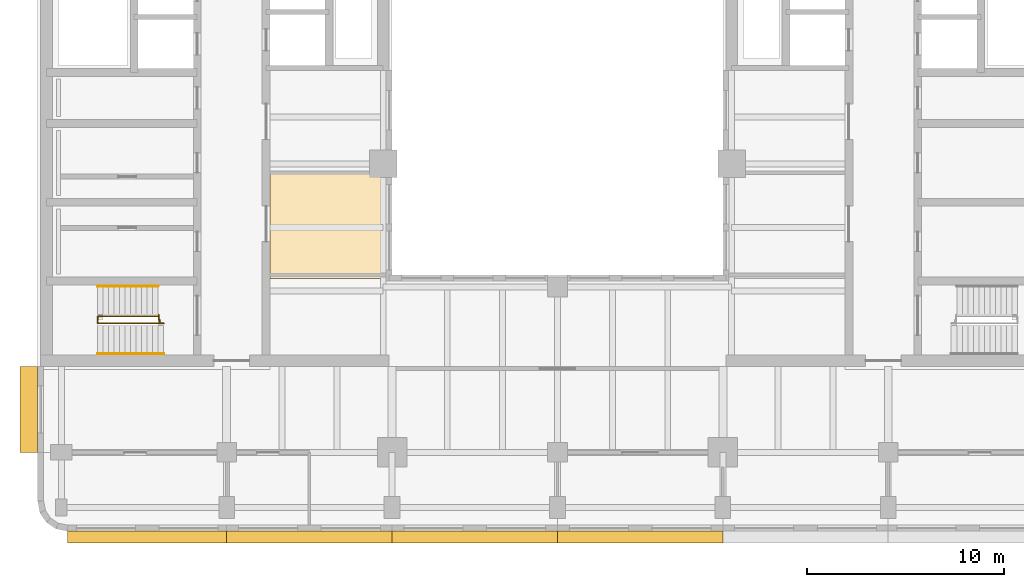
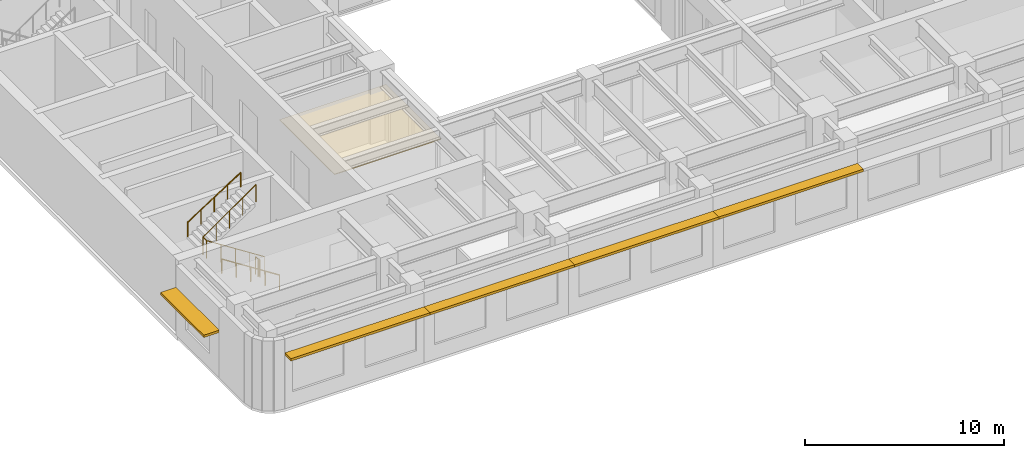
# One storey, part 9 of 13: 5 shading devices, 4 railings, 1 covering.
"""IFC4 building model written with IfcOpenShell, lengths in metres."""

from ifc_helpers import new_model, si_unit, direction, frame, origin, origin_2d, place, context, subcontext, project, spatial, polyline, rectangle, circle, outline, extrude, material, layer, layer_set, type_object, element, save


model = new_model("IFC4")

# Units and contexts
model_context = context("Model", 3, precision=1e-05, world=origin(), true_north=direction((0.0, 1.0)))
body_context = subcontext(model_context, "Body", "Model", "MODEL_VIEW")
ifc_project = project(units=[si_unit("LENGTHUNIT", "METRE"), si_unit("AREAUNIT", "SQUARE_METRE"), si_unit("VOLUMEUNIT", "CUBIC_METRE"), si_unit("PLANEANGLEUNIT", "RADIAN"), si_unit("MASSUNIT", "GRAM", prefix="KILO")], contexts=[model_context])

# Site, building, storey
site_placement = place(None, origin())
site = spatial("IfcSite", under=ifc_project, at=site_placement, CompositionType="ELEMENT")
building_placement = place(site_placement, origin())
building = spatial("IfcBuilding", under=site, at=building_placement, Name="Claustro Exchange Tower", CompositionType="ELEMENT")
storey_placement = place(building_placement, frame((0.0, 0.0, 277.199951171875)))
storey = spatial("IfcBuildingStorey", under=building, at=storey_placement, Name="L63", CompositionType="ELEMENT", Elevation=277.199951171875)

# Covering
ifc_material_1 = material(Name="Oak slats on acoustic backing", Category="wood")
ifc_layer_1 = layer(ifc_material_1, 0.050048828125)
ifc_layer_set_1 = layer_set([ifc_layer_1], Name="Oak slats on acoustic backing")
covering_type = type_object("IfcCoveringType", Name="CL3 timber slat ceiling", PredefinedType="CEILING", material=ifc_layer_set_1)
covering_placement = place(storey_placement, frame((0.0, 0.0, 3.0)))
element("IfcCovering", 1, at=covering_placement, inside=storey, type_object=covering_type, Name="Ceiling CL3 L63-07", PredefinedType="CEILING", context=body_context, shape_type="SweptSolid", body=[
    extrude(outline(polyline([(10.60009765625, 22.77001953125), (10.60009765625, 17.22998046875), (16.800048828125, 17.22998046875), (16.800048828125, 22.77001953125), (10.60009765625, 22.77001953125)])), origin(), (0.0, 0.0, 1.0), 0.050048828125),
])

# Railings
ifc_material_2 = material(Name="Steel balustrade, painted", Category="steel")
railing_type_1 = type_object("IfcRailingType", Name="GR2 1100 steel stair guard", PredefinedType="GUARDRAIL", material=ifc_material_2)
railing_1_placement = place(storey_placement, frame((5.199951171875, 14.949951171875, 0.179931640625)))
element("IfcRailing", 2, at=railing_1_placement, inside=storey, type_object=railing_type_1, Name="Stair well guard GR2 stair STWA L63", PredefinedType="GUARDRAIL", context=body_context, shape_type="SweptSolid", body=[
    extrude(circle(Radius=0.02392578125, at=origin_2d()), frame((0.0, 0.0, 1.076171875), z_axis=(-0.841150671818, 0.0, 0.540800838849), x_axis=(0.0, -1.0, 0.0)), (0.0, 0.0, 1.0), 3.994384765625),
    extrude(circle(Radius=0.02392578125, at=origin_2d()), frame((-3.35986328125, 0.0, 3.236328125), z_axis=(0.0, 1.0, 0.0), x_axis=(-1.0, 0.0, 0.0)), (0.0, 0.0, 1.0), 0.35009765625),
    extrude(circle(Radius=0.02392578125, at=origin_2d()), frame((-3.35986328125, 0.35009765625, 3.236328125), z_axis=(0.818728512145, 0.0, 0.574180828137), x_axis=(0.0, 1.0, 0.0)), (0.0, 0.0, 1.0), 3.76171875),
    extrude(circle(Radius=0.02099609375, at=origin_2d()), origin(), (0.0, 0.0, 1.0), 1.052001953125),
    extrude(circle(Radius=0.02099609375, at=origin_2d()), frame((-0.83984375, 0.0, 0.5400390625)), (0.0, 0.0, 1.0), 1.052001953125),
    extrude(circle(Radius=0.02099609375, at=origin_2d()), frame((-1.679931640625, 0.0, 1.080078125)), (0.0, 0.0, 1.0), 1.052001953125),
    extrude(circle(Radius=0.02099609375, at=origin_2d()), frame((-2.52001953125, 0.0, 1.6201171875)), (0.0, 0.0, 1.0), 1.052001953125),
    extrude(circle(Radius=0.02099609375, at=origin_2d()), frame((-3.35986328125, 0.0, 2.16015625)), (0.0, 0.0, 1.0), 1.052001953125),
    extrude(circle(Radius=0.02099609375, at=origin_2d()), frame((-3.35986328125, 0.35009765625, 2.16015625)), (0.0, 0.0, 1.0), 1.052001953125),
    extrude(circle(Radius=0.02099609375, at=origin_2d()), frame((-2.58984375, 0.35009765625, 2.7001953125)), (0.0, 0.0, 1.0), 1.052001953125),
    extrude(circle(Radius=0.02099609375, at=origin_2d()), frame((-1.81982421875, 0.35009765625, 3.240234375)), (0.0, 0.0, 1.0), 1.052001953125),
    extrude(circle(Radius=0.02099609375, at=origin_2d()), frame((-1.050048828125, 0.35009765625, 3.780029296875)), (0.0, 0.0, 1.0), 1.052001953125),
    extrude(circle(Radius=0.02099609375, at=origin_2d()), frame((-0.280029296875, 0.35009765625, 4.320068359375)), (0.0, 0.0, 1.0), 1.052001953125),
])
railing_2_placement = place(storey_placement, frame((5.0, 15.02001953125, 0.0)))
element("IfcRailing", 3, at=railing_2_placement, inside=storey, type_object=railing_type_1, Name="Stair guard GR2 STWA L63", PredefinedType="GUARDRAIL", context=body_context, shape_type="SweptSolid", body=[
    extrude(circle(Radius=0.02392578125, at=origin_2d()), frame((0.0, 0.0, 1.076171875), z_axis=(0.0, 1.0, 0.0), x_axis=(-1.0, 0.0, 0.0)), (0.0, 0.0, 1.0), 0.10498046875),
    extrude(circle(Radius=0.02392578125, at=origin_2d()), frame((0.0, 0.10498046875, 1.076171875), z_axis=(-1.0, 0.0, 0.0), x_axis=(0.0, -1.0, 0.0)), (0.0, 0.0, 1.0), 0.054931640625),
    extrude(circle(Radius=0.02392578125, at=origin_2d()), frame((-0.054931640625, 0.10498046875, 1.076171875), z_axis=(0.0, 1.0, 0.0), x_axis=(-1.0, 0.0, 0.0)), (0.0, 0.0, 1.0), 0.2548828125),
    extrude(circle(Radius=0.02099609375, at=origin_2d()), origin(), (0.0, 0.0, 1.0), 1.052001953125),
    extrude(circle(Radius=0.02099609375, at=origin_2d()), frame((0.0, 0.10498046875, 0.0)), (0.0, 0.0, 1.0), 1.052001953125),
    extrude(circle(Radius=0.02099609375, at=origin_2d()), frame((-0.054931640625, 0.10498046875, 0.0)), (0.0, 0.0, 1.0), 1.052001953125),
    extrude(circle(Radius=0.02099609375, at=origin_2d()), frame((-0.054931640625, 0.35986328125, 0.0)), (0.0, 0.0, 1.0), 1.052001953125),
])
ifc_material_3 = material(Name="Stainless steel tube", Category="steel")
railing_type_2 = type_object("IfcRailingType", Name="HR1 900 stair handrail", PredefinedType="HANDRAIL", material=ifc_material_3)
railing_3_placement = place(storey_placement, frame((5.199951171875, 13.409912109375, 0.179931640625)))
element("IfcRailing", 4, at=railing_3_placement, inside=storey, type_object=railing_type_2, Name="Handrail HR1 stair STWA L63", PredefinedType="HANDRAIL", context=body_context, shape_type="SweptSolid", body=[
    extrude(circle(Radius=0.02392578125, at=origin_2d()), frame((0.0, 0.0, 0.8759765625), z_axis=(-0.841150671818, 0.0, 0.540800838849), x_axis=(0.0, -1.0, 0.0)), (0.0, 0.0, 1.0), 3.994384765625),
    extrude(circle(Radius=0.02099609375, at=origin_2d()), origin(), (0.0, 0.0, 1.0), 0.851806640625),
    extrude(circle(Radius=0.02099609375, at=origin_2d()), frame((-0.83984375, 0.0, 0.5400390625)), (0.0, 0.0, 1.0), 0.851806640625),
    extrude(circle(Radius=0.02099609375, at=origin_2d()), frame((-1.679931640625, 0.0, 1.080078125)), (0.0, 0.0, 1.0), 0.851806640625),
    extrude(circle(Radius=0.02099609375, at=origin_2d()), frame((-2.52001953125, 0.0, 1.6201171875)), (0.0, 0.0, 1.0), 0.851806640625),
    extrude(circle(Radius=0.02099609375, at=origin_2d()), frame((-3.35986328125, 0.0, 2.16015625)), (0.0, 0.0, 1.0), 0.851806640625),
])
railing_4_placement = place(storey_placement, frame((1.840087890625, 16.840087890625, 2.52001953125)))
element("IfcRailing", 5, at=railing_4_placement, inside=storey, type_object=railing_type_2, Name="Handrail HR1 stair STWA L63", PredefinedType="HANDRAIL", context=body_context, shape_type="SweptSolid", body=[
    extrude(circle(Radius=0.02392578125, at=origin_2d()), frame((0.0, 0.0, 0.8759765625), z_axis=(0.841167642724, 0.0, 0.540774441735), x_axis=(0.0, 1.0, 0.0)), (0.0, 0.0, 1.0), 3.661376953125),
    extrude(circle(Radius=0.02099609375, at=origin_2d()), origin(), (0.0, 0.0, 1.0), 0.851806640625),
    extrude(circle(Radius=0.02099609375, at=origin_2d()), frame((0.77001953125, 0.0, 0.4951171875)), (0.0, 0.0, 1.0), 0.851806640625),
    extrude(circle(Radius=0.02099609375, at=origin_2d()), frame((1.5400390625, 0.0, 0.989990234375)), (0.0, 0.0, 1.0), 0.851806640625),
    extrude(circle(Radius=0.02099609375, at=origin_2d()), frame((2.309814453125, 0.0, 1.48486328125)), (0.0, 0.0, 1.0), 0.851806640625),
    extrude(circle(Radius=0.02099609375, at=origin_2d()), frame((3.079833984375, 0.0, 1.97998046875)), (0.0, 0.0, 1.0), 0.851806640625),
])

# Shading devices
ifc_material_4 = material(Name="Concrete HA-40 (C40/50), precast, white cement, acid-etched", Category="concrete")
ifc_layer_2 = layer(ifc_material_4, 0.14990234375)
ifc_layer_set_2 = layer_set([ifc_layer_2], Name="Concrete HA-40 (C40/50), precast, white cement, acid-etched")
shading_device_type_1 = type_object("IfcShadingDeviceType", Name="SS1 600 precast concrete SUNSHADE", PredefinedType="SHUTTER", material=ifc_layer_set_2)
for number, where, z_axis, x_axis, name in (
    (6, (29.39990234375, 4.10009765625, 3.300048828125), (0.0, 0.0, 1.0), (-1.0, 0.0, 0.0), "Precast SUNSHADE SS1 L63"),
    (7, (21.0, 4.10009765625, 3.300048828125), (0.0, 0.0, 1.0), (-1.0, 0.0, 0.0), "Precast SUNSHADE SS1 L63"),
    (8, (12.60009765625, 4.10009765625, 3.300048828125), (0.0, 0.0, 1.0), (-1.0, 0.0, 0.0), "Precast SUNSHADE SS1 L63"),
):
    element("IfcShadingDevice", number, at=place(storey_placement, frame(where, z_axis=z_axis, x_axis=x_axis)), inside=storey, type_object=shading_device_type_1, Name=name, PredefinedType="SHUTTER", context=body_context, shape_type="SweptSolid", body=[
        extrude(rectangle(XDim=8.39990234375, YDim=0.60009765625, at=origin_2d()), origin(), (0.0, 0.0, 1.0), 0.14990234375),
    ])
shading_device_1_placement = place(storey_placement, frame((4.357421875, 4.10009765625, 3.300048828125), z_axis=(0.0, 0.0, 1.0), x_axis=(-1.0, 0.0, 0.0)))
element("IfcShadingDevice", 9, at=shading_device_1_placement, inside=storey, type_object=shading_device_type_1, Name="Precast SUNSHADE SS1 L63", PredefinedType="SHUTTER", context=body_context, shape_type="SweptSolid", body=[
    extrude(rectangle(XDim=8.085205078125, YDim=0.60009765625, at=origin_2d()), origin(), (0.0, 0.0, 1.0), 0.14990234375),
])
ifc_material_5 = material(Name="Concrete HA-40 (C40/50), precast, white cement, acid-etched", Category="concrete")
ifc_layer_3 = layer(ifc_material_5, 0.14990234375)
ifc_layer_set_3 = layer_set([ifc_layer_3], Name="Concrete HA-40 (C40/50), precast, white cement, acid-etched")
shading_device_type_2 = type_object("IfcShadingDeviceType", Name="SS2 900 precast concrete SUNSHADE", PredefinedType="SHUTTER", material=ifc_layer_set_3)
shading_device_2_placement = place(storey_placement, frame((-1.64990234375, 10.574951171875, 2.800048828125), z_axis=(0.0, 0.0, 1.0), x_axis=(0.0, 1.0, 0.0)))
element("IfcShadingDevice", 10, at=shading_device_2_placement, inside=storey, type_object=shading_device_type_2, Name="Precast SUNSHADE SS2 L63", PredefinedType="SHUTTER", context=body_context, shape_type="SweptSolid", body=[
    extrude(rectangle(XDim=4.35009765625, YDim=0.89990234375, at=origin_2d()), origin(), (0.0, 0.0, 1.0), 0.14990234375),
])

save(model, "model.ifc")
